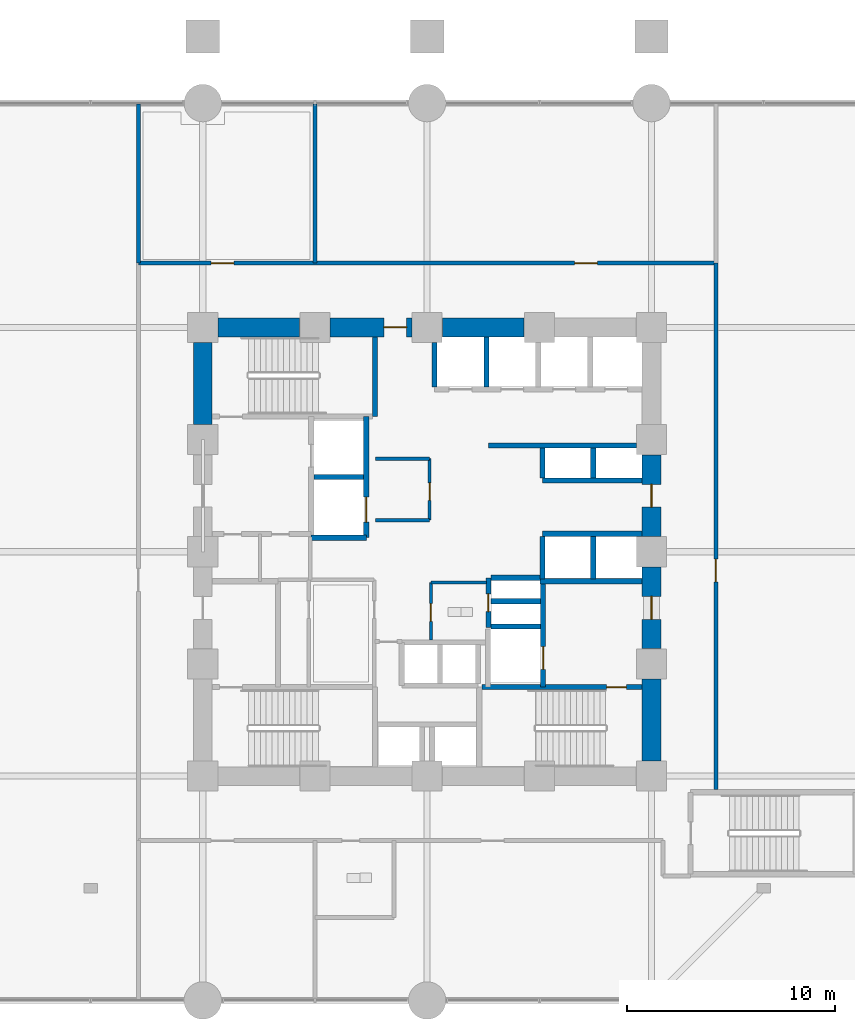
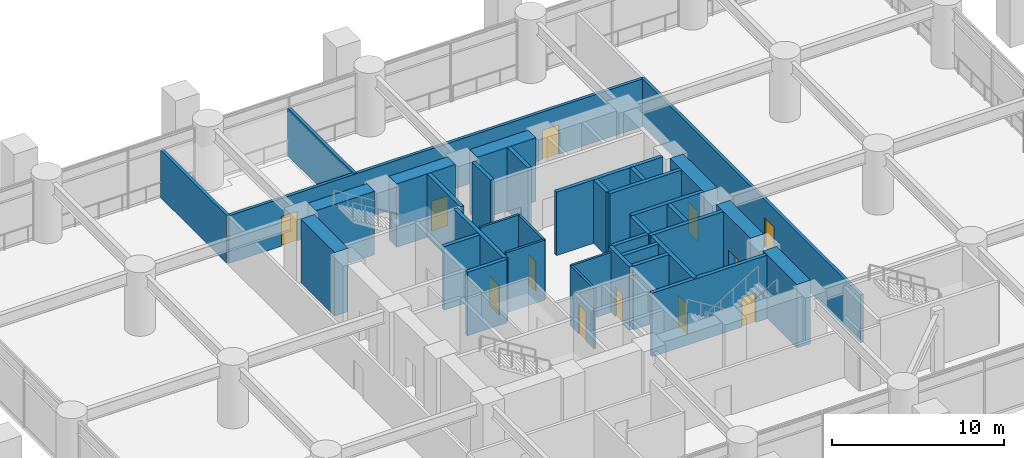
# One storey, part 24 of 31: 36 walls, 12 doors, 12 openings.
"""IFC4 building model written with IfcOpenShell, lengths in metres."""

from ifc_helpers import new_model, si_unit, direction, frame, frame_2d, origin, place, context, subcontext, project, spatial, rectangle, extrude, material, layer, layer_set, type_object, element, fill, save


model = new_model("IFC4")

# Units and contexts
model_context = context("Model", 3, precision=1e-05, world=origin(), true_north=direction((0.0, 1.0)))
body_context = subcontext(model_context, "Body", "Model", "MODEL_VIEW")
ifc_project = project(units=[si_unit("LENGTHUNIT", "METRE"), si_unit("AREAUNIT", "SQUARE_METRE"), si_unit("VOLUMEUNIT", "CUBIC_METRE"), si_unit("PLANEANGLEUNIT", "RADIAN"), si_unit("MASSUNIT", "GRAM", prefix="KILO")], contexts=[model_context])

# Site, building, storey
site_placement = place(None, origin())
site = spatial("IfcSite", under=ifc_project, at=site_placement, CompositionType="ELEMENT")
building_placement = place(site_placement, origin())
building = spatial("IfcBuilding", under=site, at=building_placement, Name="Surkhivell Harbour Commons", CompositionType="ELEMENT")
storey_placement = place(building_placement, frame((0.0, 0.0, 4.5)))
storey = spatial("IfcBuildingStorey", under=building, at=storey_placement, Name="L01", CompositionType="ELEMENT", Elevation=4.5)

# Walls
ifc_material_1 = material(Name="Concrete C80/95", Category="concrete")
ifc_layer_1 = layer(ifc_material_1, 0.89990234375)
ifc_layer_set_1 = layer_set([ifc_layer_1], Name="Concrete C80/95")
wall_type_1 = type_object("IfcWallType", Name="WAL-CORE-900", PredefinedType="SHEAR", material=ifc_layer_set_1)
for number, where, z_axis, x_axis, name in (
    (1, (-10.06494140625, 10.800048828125, 0.0), (0.0, 0.0, 1.0), (1.0, 0.0, 0.0), "L01 Core Shear Wall North 1"),
    (2, (10.800048828125, -10.06494140625, 0.0), (0.0, 0.0, 1.0), (0.0, 1.0, 0.0), "L01 Core Shear Wall East 1"),
):
    element("IfcWall", number, at=place(storey_placement, frame(where, z_axis=z_axis, x_axis=x_axis)), inside=storey, type_object=wall_type_1, Name=name, PredefinedType="SHEAR", context=body_context, shape_type="SweptSolid", body=[
        extrude(rectangle(XDim=3.929931640625, YDim=0.89990234375, at=frame_2d((1.96484375, 0.0))), origin(), (0.0, 0.0, 1.0), 4.5),
    ])

# Wall, opening, door
wall_1_placement = place(storey_placement, frame((-4.6650390625, 10.800048828125, 0.0), z_axis=(0.0, 0.0, 1.0), x_axis=(1.0, 0.0, 0.0)))
wall_1 = element("IfcWall", 3, at=wall_1_placement, inside=storey, type_object=wall_type_1, Name="L01 Core Shear Wall North 2", PredefinedType="SHEAR", context=body_context, shape_type="SweptSolid", body=[
    extrude(rectangle(XDim=3.929931640625, YDim=0.89990234375, at=frame_2d((1.96484375, 0.0))), origin(), (0.0, 0.0, 1.0), 4.5),
])
opening_1_placement = place(wall_1_placement, frame((2.580078125, 0.0, 0.0)))
opening_1 = element("IfcOpeningElement", 4, at=opening_1_placement, cuts=wall_1, Name="Opening ID-2", PredefinedType="OPENING", context=body_context, shape_type="SweptSolid", body=[
    extrude(rectangle(XDim=1.10009765625, YDim=2.10009765625, at=frame_2d((0.550048828125, 1.050048828125))), frame((0.0, 0.4599609375, 0.0), z_axis=(0.0, -1.0, 0.0), x_axis=(1.0, 0.0, 0.0)), (0.0, 0.0, 1.0), 0.919921875),
])
ifc_material_2 = material(Name="Hardwood-veneered fire-rated door leaf", Category="wood")
door_type_1 = type_object("IfcDoorType", Name="DOR-FD60-1100", OperationType="NOTDEFINED", PredefinedType="DOOR", material=ifc_material_2)
door_1_placement = place(opening_1_placement, origin())
door_1 = element("IfcDoor", 5, at=door_1_placement, inside=storey, type_object=door_type_1, Name="L01 Central Core Lift Hall North Corridor Door", OperationType="SINGLE_SWING_LEFT", OverallHeight=2.10009765625, OverallWidth=1.10009765625, PredefinedType="DOOR", context=body_context, shape_type="SweptSolid", body=[
    extrude(rectangle(XDim=1.10009765625, YDim=2.10009765625, at=frame_2d((0.550048828125, 1.050048828125))), frame((0.0, 0.02490234375, 0.0), z_axis=(0.0, -1.0, 0.0), x_axis=(1.0, 0.0, 0.0)), (0.0, 0.0, 1.0), 0.050048828125),
])
fill(opening_1, door_1)

wall_2_placement = place(storey_placement, frame((10.800048828125, -4.6650390625, 0.0), z_axis=(0.0, 0.0, 1.0), x_axis=(0.0, 1.0, 0.0)))
wall_2 = element("IfcWall", 6, at=wall_2_placement, inside=storey, type_object=wall_type_1, Name="L01 Core Shear Wall East 2", PredefinedType="SHEAR", context=body_context, shape_type="SweptSolid", body=[
    extrude(rectangle(XDim=3.929931640625, YDim=0.89990234375, at=frame_2d((1.96484375, 0.0))), origin(), (0.0, 0.0, 1.0), 4.5),
])
opening_2_placement = place(wall_2_placement, frame((1.4150390625, 0.0, 0.0)))
opening_2 = element("IfcOpeningElement", 7, at=opening_2_placement, cuts=wall_2, Name="Opening ID-1", PredefinedType="OPENING", context=body_context, shape_type="SweptSolid", body=[
    extrude(rectangle(XDim=1.10009765625, YDim=2.10009765625, at=frame_2d((0.550048828125, 1.050048828125))), frame((0.0, 0.4599609375, 0.0), z_axis=(0.0, -1.0, 0.0), x_axis=(1.0, 0.0, 0.0)), (0.0, 0.0, 1.0), 0.919921875),
])
door_type_2 = type_object("IfcDoorType", Name="DOR-FD120-1100", OperationType="NOTDEFINED", PredefinedType="DOOR", material=ifc_material_2)
door_2_placement = place(opening_2_placement, origin())
door_2 = element("IfcDoor", 8, at=door_2_placement, inside=storey, type_object=door_type_2, Name="L01 Firefighting Lobby 2 Corridor Door", OperationType="SINGLE_SWING_RIGHT", OverallHeight=2.10009765625, OverallWidth=1.10009765625, PredefinedType="DOOR", context=body_context, shape_type="SweptSolid", body=[
    extrude(rectangle(XDim=1.10009765625, YDim=2.10009765625, at=frame_2d((0.550048828125, 1.050048828125))), frame((0.0, 0.02490234375, 0.0), z_axis=(0.0, -1.0, 0.0), x_axis=(1.0, 0.0, 0.0)), (0.0, 0.0, 1.0), 0.050048828125),
])
fill(opening_2, door_2)

# Wall
wall_3_placement = place(storey_placement, frame((0.735107421875, 10.800048828125, 0.0), z_axis=(0.0, 0.0, 1.0), x_axis=(1.0, 0.0, 0.0)))
element("IfcWall", 9, at=wall_3_placement, inside=storey, type_object=wall_type_1, Name="L01 Core Shear Wall North 3", PredefinedType="SHEAR", context=body_context, shape_type="SweptSolid", body=[
    extrude(rectangle(XDim=3.929931640625, YDim=0.89990234375, at=frame_2d((1.96484375, 0.0))), origin(), (0.0, 0.0, 1.0), 4.5),
])

# Wall, opening, door
wall_4_placement = place(storey_placement, frame((10.800048828125, 0.735107421875, 0.0), z_axis=(0.0, 0.0, 1.0), x_axis=(0.0, 1.0, 0.0)))
wall_4 = element("IfcWall", 10, at=wall_4_placement, inside=storey, type_object=wall_type_1, Name="L01 Core Shear Wall East 3", PredefinedType="SHEAR", context=body_context, shape_type="SweptSolid", body=[
    extrude(rectangle(XDim=3.929931640625, YDim=0.89990234375, at=frame_2d((1.96484375, 0.0))), origin(), (0.0, 0.0, 1.0), 4.5),
])
opening_3_placement = place(wall_4_placement, frame((1.4150390625, 0.0, 0.0)))
opening_3 = element("IfcOpeningElement", 11, at=opening_3_placement, cuts=wall_4, Name="Opening ID-2", PredefinedType="OPENING", context=body_context, shape_type="SweptSolid", body=[
    extrude(rectangle(XDim=1.10009765625, YDim=2.10009765625, at=frame_2d((0.550048828125, 1.050048828125))), frame((0.0, 0.4599609375, 0.0), z_axis=(0.0, -1.0, 0.0), x_axis=(1.0, 0.0, 0.0)), (0.0, 0.0, 1.0), 0.919921875),
])
door_3_placement = place(opening_3_placement, origin())
door_3 = element("IfcDoor", 12, at=door_3_placement, inside=storey, type_object=door_type_1, Name="L01 Mid-Rise Lobby East Door", OperationType="SINGLE_SWING_LEFT", OverallHeight=2.10009765625, OverallWidth=1.10009765625, PredefinedType="DOOR", context=body_context, shape_type="SweptSolid", body=[
    extrude(rectangle(XDim=1.10009765625, YDim=2.10009765625, at=frame_2d((0.550048828125, 1.050048828125))), frame((0.0, 0.02490234375, 0.0), z_axis=(0.0, -1.0, 0.0), x_axis=(1.0, 0.0, 0.0)), (0.0, 0.0, 1.0), 0.050048828125),
])
fill(opening_3, door_3)

# Walls
wall_5_placement = place(storey_placement, frame((-10.800048828125, 6.135009765625, 0.0), z_axis=(0.0, 0.0, 1.0), x_axis=(0.0, 1.0, 0.0)))
element("IfcWall", 13, at=wall_5_placement, inside=storey, type_object=wall_type_1, Name="L01 Core Shear Wall West 4", PredefinedType="SHEAR", context=body_context, shape_type="SweptSolid", body=[
    extrude(rectangle(XDim=3.929931640625, YDim=0.89990234375, at=frame_2d((1.96484375, 0.0))), origin(), (0.0, 0.0, 1.0), 4.5),
])
ifc_material_3 = material(Name="Twin-stud acoustic fireboard partition", Category="other")
ifc_layer_2 = layer(ifc_material_3, 0.14990234375)
ifc_layer_set_2 = layer_set([ifc_layer_2], Name="Twin-stud acoustic fireboard partition")
wall_type_2 = type_object("IfcWallType", Name="WAL-INT-150", PredefinedType="PARTITIONING", material=ifc_layer_set_2)
wall_6_placement = place(storey_placement, frame((0.179931640625, -1.47998046875, 0.0), z_axis=(0.0, 0.0, 1.0), x_axis=(1.0, 0.0, 0.0)))
element("IfcWall", 14, at=wall_6_placement, inside=storey, type_object=wall_type_2, Name="L01 Core Accessible WC North Wall", PredefinedType="PARTITIONING", context=body_context, shape_type="SweptSolid", body=[
    extrude(rectangle(XDim=2.670166015625, YDim=0.14990234375, at=frame_2d((1.3349609375, 0.0))), origin(), (0.0, 0.0, 1.0), 4.25),
])

# Wall, opening, door
wall_7_placement = place(storey_placement, frame((0.179931640625, -4.25, 0.0), z_axis=(0.0, 0.0, 1.0), x_axis=(0.0, 1.0, 0.0)))
wall_7 = element("IfcWall", 15, at=wall_7_placement, inside=storey, type_object=wall_type_2, Name="L01 Core Accessible WC West Wall", PredefinedType="PARTITIONING", context=body_context, shape_type="SweptSolid", body=[
    extrude(rectangle(XDim=2.77001953125, YDim=0.14990234375, at=frame_2d((1.385009765625, 0.0))), origin(), (0.0, 0.0, 1.0), 4.25),
])
opening_4_placement = place(wall_7_placement, frame((0.89990234375, 0.0, 0.0)))
opening_4 = element("IfcOpeningElement", 16, at=opening_4_placement, cuts=wall_7, Name="Opening ID-6", PredefinedType="OPENING", context=body_context, shape_type="SweptSolid", body=[
    extrude(rectangle(XDim=0.85009765625, YDim=2.10009765625, at=frame_2d((0.425048828125, 1.050048828125))), frame((0.0, 0.0849609375, 0.0), z_axis=(0.0, -1.0, 0.0), x_axis=(1.0, 0.0, 0.0)), (0.0, 0.0, 1.0), 0.169921875),
])
door_type_3 = type_object("IfcDoorType", Name="DOR-FD30-850", OperationType="NOTDEFINED", PredefinedType="DOOR", material=ifc_material_2)
door_4_placement = place(opening_4_placement, origin())
door_4 = element("IfcDoor", 17, at=door_4_placement, inside=storey, type_object=door_type_3, Name="L01 Floor Accessible WC Door", OperationType="SINGLE_SWING_LEFT", OverallHeight=2.10009765625, OverallWidth=0.85009765625, PredefinedType="DOOR", context=body_context, shape_type="SweptSolid", body=[
    extrude(rectangle(XDim=0.85009765625, YDim=2.10009765625, at=frame_2d((0.425048828125, 1.050048828125))), frame((0.0, 0.02490234375, 0.0), z_axis=(0.0, -1.0, 0.0), x_axis=(1.0, 0.0, 0.0)), (0.0, 0.0, 1.0), 0.050048828125),
])
fill(opening_4, door_4)

wall_8_placement = place(storey_placement, frame((0.1201171875, 1.52001953125, 0.0), z_axis=(0.0, 0.0, 1.0), x_axis=(0.0, 1.0, 0.0)))
wall_8 = element("IfcWall", 18, at=wall_8_placement, inside=storey, type_object=wall_type_2, Name="L01 Central Reading East Wall", PredefinedType="PARTITIONING", context=body_context, shape_type="SweptSolid", body=[
    extrude(rectangle(XDim=2.9599609375, YDim=0.14990234375, at=frame_2d((1.47998046875, 0.0))), origin(), (0.0, 0.0, 1.0), 4.25),
])
opening_5_placement = place(wall_8_placement, frame((0.949951171875, 0.0, 0.0)))
opening_5 = element("IfcOpeningElement", 19, at=opening_5_placement, cuts=wall_8, Name="Opening ID-6", PredefinedType="OPENING", context=body_context, shape_type="SweptSolid", body=[
    extrude(rectangle(XDim=0.85009765625, YDim=2.10009765625, at=frame_2d((0.425048828125, 1.050048828125))), frame((0.0, 0.0849609375, 0.0), z_axis=(0.0, -1.0, 0.0), x_axis=(1.0, 0.0, 0.0)), (0.0, 0.0, 1.0), 0.169921875),
])
door_5_placement = place(opening_5_placement, origin())
door_5 = element("IfcDoor", 20, at=door_5_placement, inside=storey, type_object=door_type_3, Name="L01 Central Core Reading Door", OperationType="SINGLE_SWING_RIGHT", OverallHeight=2.10009765625, OverallWidth=0.85009765625, PredefinedType="DOOR", context=body_context, shape_type="SweptSolid", body=[
    extrude(rectangle(XDim=0.85009765625, YDim=2.10009765625, at=frame_2d((0.425048828125, 1.050048828125))), frame((0.0, 0.02490234375, 0.0), z_axis=(0.0, -1.0, 0.0), x_axis=(1.0, 0.0, 0.0)), (0.0, 0.0, 1.0), 0.050048828125),
])
fill(opening_5, door_5)

# Walls
for number, where, z_axis, x_axis, name in (
    (21, (-2.47998046875, 4.47998046875, 0.0), (0.0, 0.0, 1.0), (1.0, 0.0, 0.0), "L01 Central Reading North Wall"),
    (22, (-2.47998046875, 1.52001953125, 0.0), (0.0, 0.0, 1.0), (1.0, 0.0, 0.0), "L01 Central Reading South Wall"),
):
    element("IfcWall", number, at=place(storey_placement, frame(where, z_axis=z_axis, x_axis=x_axis)), inside=storey, type_object=wall_type_2, Name=name, PredefinedType="PARTITIONING", context=body_context, shape_type="SweptSolid", body=[
        extrude(rectangle(XDim=2.60009765625, YDim=0.14990234375, at=frame_2d((1.300048828125, 0.0))), origin(), (0.0, 0.0, 1.0), 4.25),
    ])
ifc_material_4 = material(Name="Autoclaved aerated concrete blockwork and fire plaster", Category="masonry")
ifc_layer_3 = layer(ifc_material_4, 0.199951171875)
ifc_layer_set_3 = layer_set([ifc_layer_3], Name="Autoclaved aerated concrete blockwork and fire plaster")
wall_type_3 = type_object("IfcWallType", Name="WAL-INT-200", PredefinedType="PARTITIONING", material=ifc_layer_set_3)
wall_9_placement = place(storey_placement, frame((-5.39990234375, 13.89990234375, 0.0), z_axis=(0.0, 0.0, 1.0), x_axis=(0.0, 1.0, 0.0)))
element("IfcWall", 23, at=wall_9_placement, inside=storey, type_object=wall_type_3, Name="L01 Podium North Divider", PredefinedType="PARTITIONING", context=body_context, shape_type="SweptSolid", body=[
    extrude(rectangle(XDim=7.66015625, YDim=0.199951171875, at=frame_2d((3.830078125, 0.0))), origin(), (0.0, 0.0, 1.0), 3.37890625),
])

# Wall, opening, door
wall_10_placement = place(storey_placement, frame((13.89990234375, -11.449951171875, 0.0), z_axis=(0.0, 0.0, 1.0), x_axis=(0.0, 1.0, 0.0)))
wall_10 = element("IfcWall", 24, at=wall_10_placement, inside=storey, type_object=wall_type_3, Name="L01 Corridor East Wall", PredefinedType="PARTITIONING", context=body_context, shape_type="SweptSolid", body=[
    extrude(rectangle(XDim=25.349853515625, YDim=0.199951171875, at=frame_2d((12.6748046875, 0.0))), origin(), (0.0, 0.0, 1.0), 3.37890625),
])
opening_6_placement = place(wall_10_placement, frame((10.0, 0.0, 0.0)))
opening_6 = element("IfcOpeningElement", 25, at=opening_6_placement, cuts=wall_10, Name="Opening ID-2", PredefinedType="OPENING", context=body_context, shape_type="SweptSolid", body=[
    extrude(rectangle(XDim=1.10009765625, YDim=2.10009765625, at=frame_2d((0.550048828125, 1.050048828125))), frame((0.0, 0.10986328125, 0.0), z_axis=(0.0, -1.0, 0.0), x_axis=(1.0, 0.0, 0.0)), (0.0, 0.0, 1.0), 0.219970703125),
])
door_6_placement = place(opening_6_placement, origin())
door_6 = element("IfcDoor", 26, at=door_6_placement, inside=storey, type_object=door_type_1, Name="L01 L01 East Seminar Hall Door", OperationType="SINGLE_SWING_RIGHT", OverallHeight=2.10009765625, OverallWidth=1.10009765625, PredefinedType="DOOR", context=body_context, shape_type="SweptSolid", body=[
    extrude(rectangle(XDim=1.10009765625, YDim=2.10009765625, at=frame_2d((0.550048828125, 1.050048828125))), frame((0.0, 0.02490234375, 0.0), z_axis=(0.0, -1.0, 0.0), x_axis=(1.0, 0.0, 0.0)), (0.0, 0.0, 1.0), 0.050048828125),
])
fill(opening_6, door_6)

# Wall, openings, doors
wall_11_placement = place(storey_placement, frame((-13.89990234375, 13.89990234375, 0.0), z_axis=(0.0, 0.0, 1.0), x_axis=(1.0, 0.0, 0.0)))
wall_11 = element("IfcWall", 27, at=wall_11_placement, inside=storey, type_object=wall_type_3, Name="L01 Corridor North Wall", PredefinedType="PARTITIONING", context=body_context, shape_type="SweptSolid", body=[
    extrude(rectangle(XDim=27.7998046875, YDim=0.199951171875, at=frame_2d((13.89990234375, 0.0))), origin(), (0.0, 0.0, 1.0), 3.37890625),
])
opening_7_placement = place(wall_11_placement, frame((3.5, 0.0, 0.0)))
opening_7 = element("IfcOpeningElement", 28, at=opening_7_placement, cuts=wall_11, Name="Opening ID-2", PredefinedType="OPENING", context=body_context, shape_type="SweptSolid", body=[
    extrude(rectangle(XDim=1.10009765625, YDim=2.10009765625, at=frame_2d((0.550048828125, 1.050048828125))), frame((0.0, 0.10986328125, 0.0), z_axis=(0.0, -1.0, 0.0), x_axis=(1.0, 0.0, 0.0)), (0.0, 0.0, 1.0), 0.219970703125),
])
opening_8_placement = place(wall_11_placement, frame((21.0, 0.0, 0.0)))
opening_8 = element("IfcOpeningElement", 29, at=opening_8_placement, cuts=wall_11, Name="Opening ID-2", PredefinedType="OPENING", context=body_context, shape_type="SweptSolid", body=[
    extrude(rectangle(XDim=1.10009765625, YDim=2.10009765625, at=frame_2d((0.550048828125, 1.050048828125))), frame((0.0, 0.10986328125, 0.0), z_axis=(0.0, -1.0, 0.0), x_axis=(1.0, 0.0, 0.0)), (0.0, 0.0, 1.0), 0.219970703125),
])
door_7_placement = place(opening_7_placement, origin())
door_7 = element("IfcDoor", 30, at=door_7_placement, inside=storey, type_object=door_type_1, Name="L01 Mezzanine Study Gallery Door", OperationType="SINGLE_SWING_RIGHT", OverallHeight=2.10009765625, OverallWidth=1.10009765625, PredefinedType="DOOR", context=body_context, shape_type="SweptSolid", body=[
    extrude(rectangle(XDim=1.10009765625, YDim=2.10009765625, at=frame_2d((0.550048828125, 1.050048828125))), frame((0.0, 0.02490234375, 0.0), z_axis=(0.0, -1.0, 0.0), x_axis=(1.0, 0.0, 0.0)), (0.0, 0.0, 1.0), 0.050048828125),
])
fill(opening_7, door_7)
door_8_placement = place(opening_8_placement, origin())
door_8 = element("IfcDoor", 31, at=door_8_placement, inside=storey, type_object=door_type_1, Name="L01 Exhibition Reading Alcove Door", OperationType="SINGLE_SWING_LEFT", OverallHeight=2.10009765625, OverallWidth=1.10009765625, PredefinedType="DOOR", context=body_context, shape_type="SweptSolid", body=[
    extrude(rectangle(XDim=1.10009765625, YDim=2.10009765625, at=frame_2d((0.550048828125, 1.050048828125))), frame((0.0, 0.02490234375, 0.0), z_axis=(0.0, -1.0, 0.0), x_axis=(1.0, 0.0, 0.0)), (0.0, 0.0, 1.0), 0.050048828125),
])
fill(opening_8, door_8)

# Walls
wall_12_placement = place(storey_placement, frame((-13.89990234375, 13.89990234375, 0.0), z_axis=(0.0, 0.0, 1.0), x_axis=(0.0, 1.0, 0.0)))
element("IfcWall", 32, at=wall_12_placement, inside=storey, type_object=wall_type_3, Name="L01 Corner NW Divider", PredefinedType="PARTITIONING", context=body_context, shape_type="SweptSolid", body=[
    extrude(rectangle(XDim=7.66015625, YDim=0.199951171875, at=frame_2d((3.830078125, 0.0))), origin(), (0.0, 0.0, 1.0), 3.37890625),
])
ifc_material_5 = material(Name="Concrete C50/60", Category="concrete")
ifc_layer_4 = layer(ifc_material_5, 0.25)
ifc_layer_set_4 = layer_set([ifc_layer_4], Name="Concrete C50/60")
wall_type_4 = type_object("IfcWallType", Name="WAL-SHAFT-250", PredefinedType="SHEAR", material=ifc_layer_set_4)
wall_13_placement = place(storey_placement, frame((5.43994140625, -1.419921875, 0.0), z_axis=(0.0, 0.0, 1.0), x_axis=(1.0, 0.0, 0.0)))
element("IfcWall", 33, at=wall_13_placement, inside=storey, type_object=wall_type_4, Name="L01 Firefighting Lobby 2 North Wall", PredefinedType="SHEAR", context=body_context, shape_type="SweptSolid", body=[
    extrude(rectangle(XDim=4.900146484375, YDim=0.25, at=frame_2d((2.4501953125, 0.0))), origin(), (0.0, 0.0, 1.0), 4.5),
])
wall_14_placement = place(storey_placement, frame((3.080078125, -3.60009765625, 0.0), z_axis=(0.0, 0.0, 1.0), x_axis=(1.0, 0.0, 0.0)))
element("IfcWall", 34, at=wall_14_placement, inside=storey, type_object=wall_type_4, Name="L01 FFL2 North Shaft Wall", PredefinedType="SHEAR", context=body_context, shape_type="SweptSolid", body=[
    extrude(rectangle(XDim=2.369873046875, YDim=0.25, at=frame_2d((1.18505859375, 0.0))), origin(), (0.0, 0.0, 1.0), 4.5),
])

# Wall, opening, door
wall_15_placement = place(storey_placement, frame((5.580078125, -6.510009765625, 0.0), z_axis=(0.0, 0.0, 1.0), x_axis=(0.0, 1.0, 0.0)))
wall_15 = element("IfcWall", 35, at=wall_15_placement, inside=storey, type_object=wall_type_4, Name="L01 Firefighting Lobby 2 West Shaft Wall", PredefinedType="SHEAR", context=body_context, shape_type="SweptSolid", body=[
    extrude(rectangle(XDim=5.090087890625, YDim=0.25, at=frame_2d((2.544921875, 0.0))), origin(), (0.0, 0.0, 1.0), 4.5),
])
opening_9_placement = place(wall_15_placement, frame((0.85009765625, 0.0, 0.0)))
opening_9 = element("IfcOpeningElement", 36, at=opening_9_placement, cuts=wall_15, Name="Opening LD-1", PredefinedType="OPENING", context=body_context, shape_type="SweptSolid", body=[
    extrude(rectangle(XDim=1.10009765625, YDim=2.10009765625, at=frame_2d((0.550048828125, 1.050048828125))), frame((0.0, 0.135009765625, 0.0), z_axis=(0.0, -1.0, 0.0), x_axis=(1.0, 0.0, 0.0)), (0.0, 0.0, 1.0), 0.27001953125),
])
ifc_material_6 = material(Name="Brushed stainless steel S355", Category="steel")
door_type_4 = type_object("IfcDoorType", Name="DOR-LD-1100", OperationType="SLIDING_TO_LEFT", PredefinedType="DOOR", material=ifc_material_6)
door_9_placement = place(opening_9_placement, origin())
door_9 = element("IfcDoor", 37, at=door_9_placement, inside=storey, type_object=door_type_4, Name="L01 Lift Landing Door LD-FFL2", OperationType="SLIDING_TO_RIGHT", OverallHeight=2.10009765625, OverallWidth=1.10009765625, PredefinedType="DOOR", context=body_context, shape_type="SweptSolid", body=[
    extrude(rectangle(XDim=1.10009765625, YDim=2.10009765625, at=frame_2d((0.550048828125, 1.050048828125))), frame((0.0, 0.02490234375, 0.0), z_axis=(0.0, -1.0, 0.0), x_axis=(1.0, 0.0, 0.0)), (0.0, 0.0, 1.0), 0.050048828125),
])
fill(opening_9, door_9)

# Walls
wall_16_placement = place(storey_placement, frame((2.85009765625, 7.93994140625, 0.0), z_axis=(0.0, 0.0, 1.0), x_axis=(0.0, 1.0, 0.0)))
element("IfcWall", 38, at=wall_16_placement, inside=storey, type_object=wall_type_4, Name="L01 Low-Rise Hoistway Wall", PredefinedType="SHEAR", context=body_context, shape_type="SweptSolid", body=[
    extrude(rectangle(XDim=2.41015625, YDim=0.25, at=frame_2d((1.205078125, 0.0))), origin(), (0.0, 0.0, 1.0), 4.5),
])
wall_17_placement = place(storey_placement, frame((0.35009765625, 7.93994140625, 0.0), z_axis=(0.0, 0.0, 1.0), x_axis=(0.0, 1.0, 0.0)))
element("IfcWall", 39, at=wall_17_placement, inside=storey, type_object=wall_type_4, Name="L01 Low-Rise Hoistway Wall", PredefinedType="SHEAR", context=body_context, shape_type="SweptSolid", body=[
    extrude(rectangle(XDim=2.135009765625, YDim=0.25, at=frame_2d((1.0673828125, 0.0))), origin(), (0.0, 0.0, 1.0), 4.5),
])
wall_18_placement = place(storey_placement, frame((2.949951171875, 5.1201171875, 0.0), z_axis=(0.0, 0.0, 1.0), x_axis=(1.0, 0.0, 0.0)))
element("IfcWall", 40, at=wall_18_placement, inside=storey, type_object=wall_type_4, Name="L01 Low-Rise Lobby South Wall", PredefinedType="SHEAR", context=body_context, shape_type="SweptSolid", body=[
    extrude(rectangle(XDim=7.125, YDim=0.25, at=frame_2d((3.5625, 0.0))), origin(), (0.0, 0.0, 1.0), 4.5),
])
for number, where, z_axis, x_axis, name in (
    (41, (5.550048828125, 3.550048828125, 0.0), (0.0, 0.0, 1.0), (0.0, 1.0, 0.0), "L01 Mid-Rise Shaft Side Wall N"),
    (42, (8.0, 3.550048828125, 0.0), (0.0, 0.0, 1.0), (0.0, 1.0, 0.0), "L01 Mid-Rise Shaft Side Wall N"),
):
    element("IfcWall", number, at=place(storey_placement, frame(where, z_axis=z_axis, x_axis=x_axis)), inside=storey, type_object=wall_type_4, Name=name, PredefinedType="SHEAR", context=body_context, shape_type="SweptSolid", body=[
        extrude(rectangle(XDim=1.449951171875, YDim=0.25, at=frame_2d((0.72509765625, 0.0))), origin(), (0.0, 0.0, 1.0), 4.5),
    ])
for number, where, z_axis, x_axis, name in (
    (43, (5.550048828125, -1.300048828125, 0.0), (0.0, 0.0, 1.0), (0.0, 1.0, 0.0), "L01 Mid-Rise Shaft Side Wall S"),
    (44, (8.0, -1.300048828125, 0.0), (0.0, 0.0, 1.0), (0.0, 1.0, 0.0), "L01 Mid-Rise Shaft Side Wall S"),
):
    element("IfcWall", number, at=place(storey_placement, frame(where, z_axis=z_axis, x_axis=x_axis)), inside=storey, type_object=wall_type_4, Name=name, PredefinedType="SHEAR", context=body_context, shape_type="SweptSolid", body=[
        extrude(rectangle(XDim=2.0400390625, YDim=0.25, at=frame_2d((1.02001953125, 0.0))), origin(), (0.0, 0.0, 1.0), 4.5),
    ])
for number, where, z_axis, x_axis, name in (
    (45, (5.550048828125, 3.429931640625, 0.0), (0.0, 0.0, 1.0), (1.0, 0.0, 0.0), "L01 Mid-Rise North Front Shaft Wall"),
    (46, (5.550048828125, 0.8701171875, 0.0), (0.0, 0.0, 1.0), (1.0, 0.0, 0.0), "L01 Mid-Rise South Front Shaft Wall"),
):
    element("IfcWall", number, at=place(storey_placement, frame(where, z_axis=z_axis, x_axis=x_axis)), inside=storey, type_object=wall_type_4, Name=name, PredefinedType="SHEAR", context=body_context, shape_type="SweptSolid", body=[
        extrude(rectangle(XDim=4.800048828125, YDim=0.25, at=frame_2d((2.39990234375, 0.0))), origin(), (0.0, 0.0, 1.0), 4.5),
    ])
for number, where, z_axis, x_axis, name in (
    (47, (3.080078125, -2.3798828125, 0.0), (0.0, 0.0, 1.0), (1.0, 0.0, 0.0), "L01 Riser Divider Wall"),
    (48, (3.080078125, -1.25, 0.0), (0.0, 0.0, 1.0), (1.0, 0.0, 0.0), "L01 Riser North Wall"),
):
    element("IfcWall", number, at=place(storey_placement, frame(where, z_axis=z_axis, x_axis=x_axis)), inside=storey, type_object=wall_type_4, Name=name, PredefinedType="SHEAR", context=body_context, shape_type="SweptSolid", body=[
        extrude(rectangle(XDim=2.369873046875, YDim=0.25, at=frame_2d((1.18505859375, 0.0))), origin(), (0.0, 0.0, 1.0), 4.5),
    ])

# Wall, opening, door
wall_19_placement = place(storey_placement, frame((2.949951171875, -3.64990234375, 0.0), z_axis=(0.0, 0.0, 1.0), x_axis=(0.0, 1.0, 0.0)))
wall_19 = element("IfcWall", 49, at=wall_19_placement, inside=storey, type_object=wall_type_4, Name="L01 Riser Shaft West Wall", PredefinedType="SHEAR", context=body_context, shape_type="SweptSolid", body=[
    extrude(rectangle(XDim=2.39990234375, YDim=0.25, at=frame_2d((1.199951171875, 0.0))), origin(), (0.0, 0.0, 1.0), 4.5),
])
opening_10_placement = place(wall_19_placement, frame((0.77490234375, 0.0, 0.0)))
opening_10 = element("IfcOpeningElement", 50, at=opening_10_placement, cuts=wall_19, Name="Opening ID-6", PredefinedType="OPENING", context=body_context, shape_type="SweptSolid", body=[
    extrude(rectangle(XDim=0.85009765625, YDim=2.10009765625, at=frame_2d((0.425048828125, 1.050048828125))), frame((0.0, 0.135009765625, 0.0), z_axis=(0.0, -1.0, 0.0), x_axis=(1.0, 0.0, 0.0)), (0.0, 0.0, 1.0), 0.27001953125),
])
door_10_placement = place(opening_10_placement, origin())
door_10 = element("IfcDoor", 51, at=door_10_placement, inside=storey, type_object=door_type_3, Name="L01 Electrical Riser Access Door", OperationType="SINGLE_SWING_LEFT", OverallHeight=2.10009765625, OverallWidth=0.85009765625, PredefinedType="DOOR", context=body_context, shape_type="SweptSolid", body=[
    extrude(rectangle(XDim=0.85009765625, YDim=2.10009765625, at=frame_2d((0.425048828125, 1.050048828125))), frame((0.0, 0.02490234375, 0.0), z_axis=(0.0, -1.0, 0.0), x_axis=(1.0, 0.0, 0.0)), (0.0, 0.0, 1.0), 0.050048828125),
])
fill(opening_10, door_10)

# Wall
wall_20_placement = place(storey_placement, frame((-2.510009765625, 6.510009765625, 0.0), z_axis=(0.0, 0.0, 1.0), x_axis=(0.0, 1.0, 0.0)))
element("IfcWall", 52, at=wall_20_placement, inside=storey, type_object=wall_type_4, Name="L01 Stair ST1 East Shear Wall", PredefinedType="SHEAR", context=body_context, shape_type="SweptSolid", body=[
    extrude(rectangle(XDim=3.840087890625, YDim=0.25, at=frame_2d((1.919921875, 0.0))), origin(), (0.0, 0.0, 1.0), 4.5),
])

# Wall, opening, door
wall_21_placement = place(storey_placement, frame((2.639892578125, -6.510009765625, 0.0), z_axis=(0.0, 0.0, 1.0), x_axis=(1.0, 0.0, 0.0)))
wall_21 = element("IfcWall", 53, at=wall_21_placement, inside=storey, type_object=wall_type_4, Name="L01 Stair ST2 North Shear Wall", PredefinedType="SHEAR", context=body_context, shape_type="SweptSolid", body=[
    extrude(rectangle(XDim=7.7001953125, YDim=0.25, at=frame_2d((3.85009765625, 0.0))), origin(), (0.0, 0.0, 1.0), 4.5),
])
opening_11_placement = place(wall_21_placement, frame((6.0, 0.0, 0.0)))
opening_11 = element("IfcOpeningElement", 54, at=opening_11_placement, cuts=wall_21, Name="Opening ID-4", PredefinedType="OPENING", context=body_context, shape_type="SweptSolid", body=[
    extrude(rectangle(XDim=0.949951171875, YDim=2.10009765625, at=frame_2d((0.47509765625, 1.050048828125))), frame((0.0, 0.135009765625, 0.0), z_axis=(0.0, -1.0, 0.0), x_axis=(1.0, 0.0, 0.0)), (0.0, 0.0, 1.0), 0.27001953125),
])
door_type_5 = type_object("IfcDoorType", Name="DOR-FD60-950", OperationType="NOTDEFINED", PredefinedType="DOOR", material=ifc_material_2)
door_11_placement = place(opening_11_placement, origin())
door_11 = element("IfcDoor", 55, at=door_11_placement, inside=storey, type_object=door_type_5, Name="L01 Stair ST2 Exit Door", OperationType="SINGLE_SWING_RIGHT", OverallHeight=2.10009765625, OverallWidth=0.949951171875, PredefinedType="DOOR", context=body_context, shape_type="SweptSolid", body=[
    extrude(rectangle(XDim=0.949951171875, YDim=2.10009765625, at=frame_2d((0.47509765625, 1.050048828125))), frame((0.0, 0.02490234375, 0.0), z_axis=(0.0, -1.0, 0.0), x_axis=(1.0, 0.0, 0.0)), (0.0, 0.0, 1.0), 0.050048828125),
])
fill(opening_11, door_11)

wall_22_placement = place(storey_placement, frame((-2.929931640625, 0.679931640625, 0.0), z_axis=(0.0, 0.0, 1.0), x_axis=(0.0, 1.0, 0.0)))
wall_22 = element("IfcWall", 56, at=wall_22_placement, inside=storey, type_object=wall_type_4, Name="L01 Service and Fire Lift East Shaft Wall", PredefinedType="SHEAR", context=body_context, shape_type="SweptSolid", body=[
    extrude(rectangle(XDim=5.830078125, YDim=0.25, at=frame_2d((2.9150390625, 0.0))), origin(), (0.0, 0.0, 1.0), 4.5),
])
opening_12_placement = place(wall_22_placement, frame((0.75, 0.0, 0.0)))
opening_12 = element("IfcOpeningElement", 57, at=opening_12_placement, cuts=wall_22, Name="Opening LD-2", PredefinedType="OPENING", context=body_context, shape_type="SweptSolid", body=[
    extrude(rectangle(XDim=1.199951171875, YDim=2.10009765625, at=frame_2d((0.60009765625, 1.050048828125))), frame((0.0, 0.135009765625, 0.0), z_axis=(0.0, -1.0, 0.0), x_axis=(1.0, 0.0, 0.0)), (0.0, 0.0, 1.0), 0.27001953125),
])
door_type_6 = type_object("IfcDoorType", Name="DOR-LD-1200", OperationType="SLIDING_TO_LEFT", PredefinedType="DOOR", material=ifc_material_6)
door_12_placement = place(opening_12_placement, origin())
door_12 = element("IfcDoor", 58, at=door_12_placement, inside=storey, type_object=door_type_6, Name="L01 Lift Landing Door LD-SVL1", OperationType="SLIDING_TO_LEFT", OverallHeight=2.10009765625, OverallWidth=1.199951171875, PredefinedType="DOOR", context=body_context, shape_type="SweptSolid", body=[
    extrude(rectangle(XDim=1.199951171875, YDim=2.10009765625, at=frame_2d((0.60009765625, 1.050048828125))), frame((0.0, 0.02490234375, 0.0), z_axis=(0.0, -1.0, 0.0), x_axis=(1.0, 0.0, 0.0)), (0.0, 0.0, 1.0), 0.050048828125),
])
fill(opening_12, door_12)

# Walls
wall_23_placement = place(storey_placement, frame((-5.449951171875, 3.60009765625, 0.0), z_axis=(0.0, 0.0, 1.0), x_axis=(1.0, 0.0, 0.0)))
element("IfcWall", 59, at=wall_23_placement, inside=storey, type_object=wall_type_4, Name="L01 FFL1/SVL1 Shaft Divider", PredefinedType="SHEAR", context=body_context, shape_type="SweptSolid", body=[
    extrude(rectangle(XDim=2.389892578125, YDim=0.25, at=frame_2d((1.19482421875, 0.0))), origin(), (0.0, 0.0, 1.0), 4.5),
])
wall_24_placement = place(storey_placement, frame((-5.580078125, 0.679931640625, 0.0), z_axis=(0.0, 0.0, 1.0), x_axis=(1.0, 0.0, 0.0)))
element("IfcWall", 60, at=wall_24_placement, inside=storey, type_object=wall_type_4, Name="L01 SVL1 South Shaft Wall", PredefinedType="SHEAR", context=body_context, shape_type="SweptSolid", body=[
    extrude(rectangle(XDim=2.650146484375, YDim=0.25, at=frame_2d((1.3251953125, 0.0))), origin(), (0.0, 0.0, 1.0), 4.5),
])

save(model, "model.ifc")
